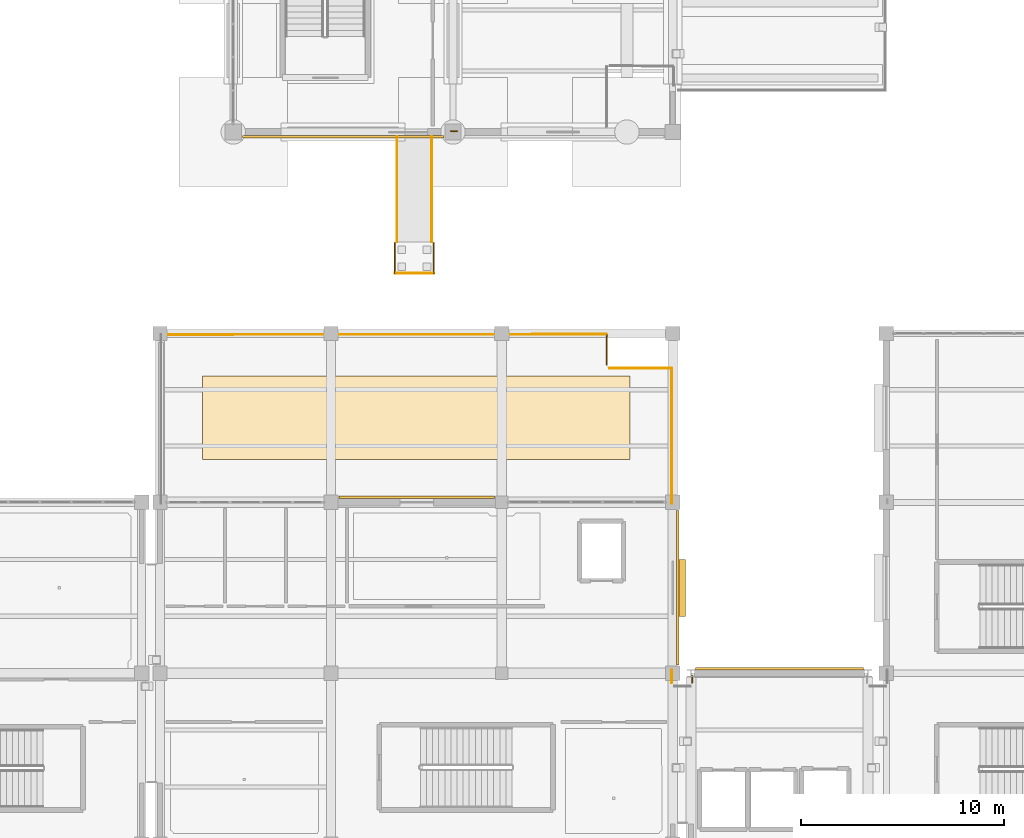
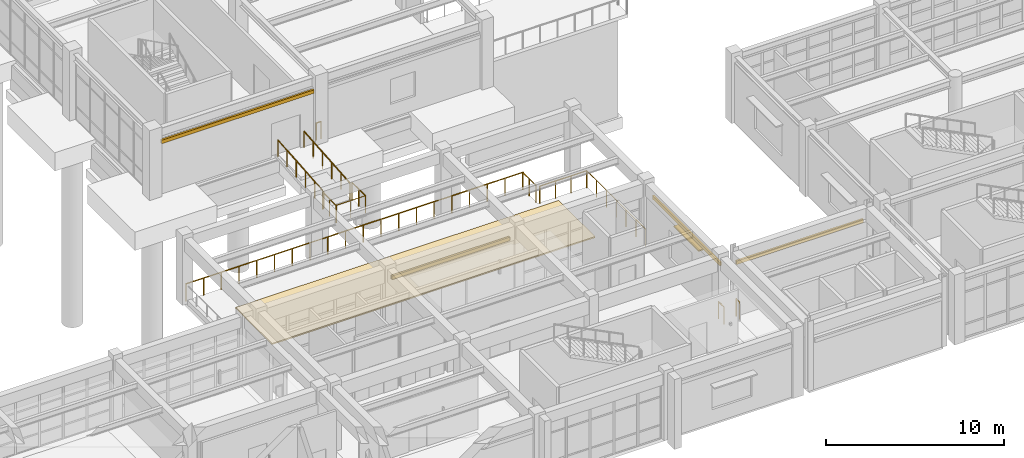
# One storey, part 91 of 98: 12 railings, 5 coverings, 1 shading device.
"""IFC4 building model written with IfcOpenShell, lengths in metres."""

from ifc_helpers import new_model, si_unit, direction, frame, origin, origin_2d, place, context, subcontext, project, spatial, rectangle, circle, extrude, material, layer, layer_set, type_object, element, save


model = new_model("IFC4")

# Units and contexts
model_context = context("Model", 3, precision=1e-05, world=origin(), true_north=direction((0.0, 1.0)))
body_context = subcontext(model_context, "Body", "Model", "MODEL_VIEW")
ifc_project = project(units=[si_unit("LENGTHUNIT", "METRE"), si_unit("AREAUNIT", "SQUARE_METRE"), si_unit("VOLUMEUNIT", "CUBIC_METRE"), si_unit("PLANEANGLEUNIT", "RADIAN"), si_unit("MASSUNIT", "GRAM", prefix="KILO")], contexts=[model_context])

# Site, building, storey
site_placement = place(None, origin())
site = spatial("IfcSite", under=ifc_project, at=site_placement, CompositionType="ELEMENT")
building_placement = place(site_placement, origin())
building = spatial("IfcBuilding", under=site, at=building_placement, Name="Canglan Escarpment Cableway Terminal", CompositionType="ELEMENT")
storey_placement = place(building_placement, frame((0.0, 0.0, 9.60009765625)))
storey = spatial("IfcBuildingStorey", under=building, at=storey_placement, Name="L02", CompositionType="ELEMENT", Elevation=9.60009765625)

# Coverings
ifc_material_1 = material(Name="Carved classical limestone cornice", Category="masonry")
ifc_layer_1 = layer(ifc_material_1, 0.1201171875, Name="Carved classical limestone cornice")
ifc_layer_set_1 = layer_set([ifc_layer_1], Name="Carved classical limestone cornice")
covering_type_1 = type_object("IfcCoveringType", Name="COV-CORNICE-STONE", PredefinedType="CLADDING", material=ifc_layer_set_1)
covering_1_placement = place(storey_placement, frame((136.93994140625, 20.60009765625, 3.39501953125), z_axis=(0.0, 0.0, 1.0), x_axis=(0.0, 1.0, 0.0)))
element("IfcCovering", 1, at=covering_1_placement, inside=storey, type_object=covering_type_1, Name="Classical carved limestone cornice CL-01", PredefinedType="CLADDING", context=body_context, shape_type="SweptSolid", body=[
    extrude(rectangle(XDim=7.60009765625, YDim=0.1201171875, at=origin_2d()), origin(), (0.0, 0.0, 1.0), 0.239990234375),
])
covering_2_placement = place(storey_placement, frame((124.125, 25.0400390625, 3.294921875), z_axis=(0.0, 0.0, 1.0), x_axis=(-1.0, 0.0, 0.0)))
element("IfcCovering", 2, at=covering_2_placement, inside=storey, type_object=covering_type_1, Name="Classical carved limestone cornice CL-01", PredefinedType="CLADDING", context=body_context, shape_type="SweptSolid", body=[
    extrude(rectangle(XDim=7.64990234375, YDim=0.1201171875, at=origin_2d()), origin(), (0.0, 0.0, 1.0), 0.239990234375),
])
covering_3_placement = place(storey_placement, frame((141.949951171875, 16.6201171875, 3.294921875), z_axis=(0.0, 0.0, 1.0), x_axis=(-1.0, 0.0, 0.0)))
element("IfcCovering", 3, at=covering_3_placement, inside=storey, type_object=covering_type_1, Name="Classical carved limestone cornice CL-01", PredefinedType="CLADDING", context=body_context, shape_type="SweptSolid", body=[
    extrude(rectangle(XDim=8.25, YDim=0.1201171875, at=origin_2d()), origin(), (0.0, 0.0, 1.0), 0.239990234375),
])
covering_4_placement = place(storey_placement, frame((120.5, 42.77001953125, 3.544921875), z_axis=(0.0, 0.0, 1.0), x_axis=(1.0, 0.0, 0.0)))
element("IfcCovering", 4, at=covering_4_placement, inside=storey, type_object=covering_type_1, Name="Classical carved limestone cornice CL-01", PredefinedType="CLADDING", context=body_context, shape_type="SweptSolid", body=[
    extrude(rectangle(XDim=9.89990234375, YDim=0.1201171875, at=origin_2d()), origin(), (0.0, 0.0, 1.0), 0.239990234375),
])
ifc_material_2 = material(Name="Planted extensive sedum green roof assembly", Category="earth")
ifc_layer_2 = layer(ifc_material_2, 0.090087890625, Name="Planted extensive sedum green roof assembly")
ifc_layer_set_2 = layer_set([ifc_layer_2], Name="Planted extensive sedum green roof assembly")
covering_type_2 = type_object("IfcCoveringType", Name="COV-ROOF-GREEN", PredefinedType="ROOFING", material=ifc_layer_set_2)
covering_5_placement = place(storey_placement, frame((124.10009765625, 28.949951171875, 0.0), z_axis=(0.0, 0.0, 1.0), x_axis=(1.0, 0.0, 0.0)))
element("IfcCovering", 5, at=covering_5_placement, inside=storey, type_object=covering_type_2, Name="Planted extensive sedum green roof garden RF-G1", PredefinedType="ROOFING", context=body_context, shape_type="SweptSolid", body=[
    extrude(rectangle(XDim=21.0, YDim=4.10009765625, at=origin_2d()), origin(), (0.0, 0.0, 1.0), 0.090087890625),
])

# Railings
ifc_material_3 = material(Name="Carved limestone and anodized bronze balustrade", Category="masonry")
railing_type_1 = type_object("IfcRailingType", Name="RL-EXT-BALUSTRADE-1200", PredefinedType="BALUSTRADE", material=ifc_material_3)
railing_1_placement = place(storey_placement, frame((123.050048828125, 36.050048828125, -0.4501953125)))
element("IfcRailing", 6, at=railing_1_placement, inside=storey, type_object=railing_type_1, Name="Accessible Cloister Court Ramp 5 landing guard 1", PredefinedType="BALUSTRADE", context=body_context, shape_type="SweptSolid", body=[
    extrude(circle(Radius=0.02392578125, at=origin_2d()), frame((0.0, 0.0, 1.17578125), z_axis=(1.0, 0.0, 0.0), x_axis=(0.0, 1.0, 0.0)), (0.0, 0.0, 1.0), 1.89990234375),
    extrude(circle(Radius=0.02099609375, at=origin_2d()), origin(), (0.0, 0.0, 1.0), 1.15185546875),
    extrude(circle(Radius=0.02099609375, at=origin_2d()), frame((0.949951171875, 0.0, 0.0)), (0.0, 0.0, 1.0), 1.15185546875),
    extrude(circle(Radius=0.02099609375, at=origin_2d()), frame((1.89990234375, 0.0, 0.0)), (0.0, 0.0, 1.0), 1.15185546875),
])
railing_2_placement = place(storey_placement, frame((124.949951171875, 36.050048828125, -0.4501953125)))
element("IfcRailing", 7, at=railing_2_placement, inside=storey, type_object=railing_type_1, Name="Accessible Cloister Court Ramp 5 landing guard 2", PredefinedType="BALUSTRADE", context=body_context, shape_type="SweptSolid", body=[
    extrude(circle(Radius=0.02392578125, at=origin_2d()), frame((0.0, 0.0, 1.17578125), z_axis=(0.0, 1.0, 0.0), x_axis=(-1.0, 0.0, 0.0)), (0.0, 0.0, 1.0), 1.5),
    extrude(circle(Radius=0.02099609375, at=origin_2d()), origin(), (0.0, 0.0, 1.0), 1.15185546875),
    extrude(circle(Radius=0.02099609375, at=origin_2d()), frame((0.0, 0.75, 0.0)), (0.0, 0.0, 1.0), 1.15185546875),
    extrude(circle(Radius=0.02099609375, at=origin_2d()), frame((0.0, 1.5, 0.0)), (0.0, 0.0, 1.0), 1.15185546875),
])
railing_3_placement = place(storey_placement, frame((123.050048828125, 37.550048828125, -0.4501953125)))
element("IfcRailing", 8, at=railing_3_placement, inside=storey, type_object=railing_type_1, Name="Accessible Cloister Court Ramp 5 landing guard 4", PredefinedType="BALUSTRADE", context=body_context, shape_type="SweptSolid", body=[
    extrude(circle(Radius=0.02392578125, at=origin_2d()), frame((0.0, 0.0, 1.17578125), z_axis=(0.0, -1.0, 0.0), x_axis=(1.0, 0.0, 0.0)), (0.0, 0.0, 1.0), 1.5),
    extrude(circle(Radius=0.02099609375, at=origin_2d()), origin(), (0.0, 0.0, 1.0), 1.15185546875),
    extrude(circle(Radius=0.02099609375, at=origin_2d()), frame((0.0, -0.75, 0.0)), (0.0, 0.0, 1.0), 1.15185546875),
    extrude(circle(Radius=0.02099609375, at=origin_2d()), frame((0.0, -1.5, 0.0)), (0.0, 0.0, 1.0), 1.15185546875),
])
railing_4_placement = place(storey_placement, frame((111.550048828125, 33.048095703125, 0.0)))
element("IfcRailing", 9, at=railing_4_placement, inside=storey, type_object=railing_type_1, Name="Classical terrace balustrade guard GD-01 (L02)", PredefinedType="BALUSTRADE", context=body_context, shape_type="SweptSolid", body=[
    extrude(circle(Radius=0.02392578125, at=origin_2d()), frame((0.0, 0.0, 1.17578125), z_axis=(0.999999996022, 8.9192142e-05, 0.0), x_axis=(-8.9192142e-05, 0.999999996022, 0.0)), (0.0, 0.0, 1.0), 21.89794921875),
    extrude(circle(Radius=0.02099609375, at=origin_2d()), origin(), (0.0, 0.0, 1.0), 1.15185546875),
    extrude(circle(Radius=0.02099609375, at=origin_2d()), frame((1.152587890625, 0.0, 0.0)), (0.0, 0.0, 1.0), 1.15185546875),
    extrude(circle(Radius=0.02099609375, at=origin_2d()), frame((2.304931640625, 0.000244140625, 0.0)), (0.0, 0.0, 1.0), 1.15185546875),
    extrude(circle(Radius=0.02099609375, at=origin_2d()), frame((3.45751953125, 0.000244140625, 0.0)), (0.0, 0.0, 1.0), 1.15185546875),
    extrude(circle(Radius=0.02099609375, at=origin_2d()), frame((4.610107421875, 0.00048828125, 0.0)), (0.0, 0.0, 1.0), 1.15185546875),
    extrude(circle(Radius=0.02099609375, at=origin_2d()), frame((5.7626953125, 0.00048828125, 0.0)), (0.0, 0.0, 1.0), 1.15185546875),
    extrude(circle(Radius=0.02099609375, at=origin_2d()), frame((6.9150390625, 0.000732421875, 0.0)), (0.0, 0.0, 1.0), 1.15185546875),
    extrude(circle(Radius=0.02099609375, at=origin_2d()), frame((8.067626953125, 0.000732421875, 0.0)), (0.0, 0.0, 1.0), 1.15185546875),
    extrude(circle(Radius=0.02099609375, at=origin_2d()), frame((9.22021484375, 0.000732421875, 0.0)), (0.0, 0.0, 1.0), 1.15185546875),
    extrude(circle(Radius=0.02099609375, at=origin_2d()), frame((10.372802734375, 0.0009765625, 0.0)), (0.0, 0.0, 1.0), 1.15185546875),
    extrude(circle(Radius=0.02099609375, at=origin_2d()), frame((11.525146484375, 0.0009765625, 0.0)), (0.0, 0.0, 1.0), 1.15185546875),
    extrude(circle(Radius=0.02099609375, at=origin_2d()), frame((12.677734375, 0.001220703125, 0.0)), (0.0, 0.0, 1.0), 1.15185546875),
    extrude(circle(Radius=0.02099609375, at=origin_2d()), frame((13.830322265625, 0.001220703125, 0.0)), (0.0, 0.0, 1.0), 1.15185546875),
    extrude(circle(Radius=0.02099609375, at=origin_2d()), frame((14.98291015625, 0.001220703125, 0.0)), (0.0, 0.0, 1.0), 1.15185546875),
    extrude(circle(Radius=0.02099609375, at=origin_2d()), frame((16.13525390625, 0.00146484375, 0.0)), (0.0, 0.0, 1.0), 1.15185546875),
    extrude(circle(Radius=0.02099609375, at=origin_2d()), frame((17.287841796875, 0.00146484375, 0.0)), (0.0, 0.0, 1.0), 1.15185546875),
    extrude(circle(Radius=0.02099609375, at=origin_2d()), frame((18.4404296875, 0.001708984375, 0.0)), (0.0, 0.0, 1.0), 1.15185546875),
    extrude(circle(Radius=0.02099609375, at=origin_2d()), frame((19.593017578125, 0.001708984375, 0.0)), (0.0, 0.0, 1.0), 1.15185546875),
    extrude(circle(Radius=0.02099609375, at=origin_2d()), frame((20.745361328125, 0.001953125, 0.0)), (0.0, 0.0, 1.0), 1.15185546875),
    extrude(circle(Radius=0.02099609375, at=origin_2d()), frame((21.89794921875, 0.001953125, 0.0)), (0.0, 0.0, 1.0), 1.15185546875),
])
railing_5_placement = place(storey_placement, frame((133.447998046875, 33.050048828125, 0.0)))
element("IfcRailing", 10, at=railing_5_placement, inside=storey, type_object=railing_type_1, Name="Classical terrace balustrade guard GD-01 (L02)", PredefinedType="BALUSTRADE", context=body_context, shape_type="SweptSolid", body=[
    extrude(circle(Radius=0.02392578125, at=origin_2d()), frame((0.0, 0.0, 1.17578125), z_axis=(0.001319695321, -0.999999129202, 0.0), x_axis=(0.999999129202, 0.001319695321, 0.0)), (0.0, 0.0, 1.0), 1.47998046875),
    extrude(circle(Radius=0.02099609375, at=origin_2d()), origin(), (0.0, 0.0, 1.0), 1.15185546875),
    extrude(circle(Radius=0.02099609375, at=origin_2d()), frame((0.0009765625, -0.739990234375, 0.0)), (0.0, 0.0, 1.0), 1.15185546875),
    extrude(circle(Radius=0.02099609375, at=origin_2d()), frame((0.001953125, -1.47998046875, 0.0)), (0.0, 0.0, 1.0), 1.15185546875),
])
railing_6_placement = place(storey_placement, frame((133.599365234375, 31.39599609375, 0.0)))
element("IfcRailing", 11, at=railing_6_placement, inside=storey, type_object=railing_type_1, Name="Classical terrace balustrade guard GD-01 (L02)", PredefinedType="BALUSTRADE", context=body_context, shape_type="SweptSolid", body=[
    extrude(circle(Radius=0.02392578125, at=origin_2d()), frame((0.0, 0.0, 1.17578125), z_axis=(0.99999799584, -0.002002078153, 0.0), x_axis=(0.002002078153, 0.99999799584, 0.0)), (0.0, 0.0, 1.0), 3.048583984375),
    extrude(circle(Radius=0.02099609375, at=origin_2d()), origin(), (0.0, 0.0, 1.0), 1.15185546875),
    extrude(circle(Radius=0.02099609375, at=origin_2d()), frame((1.01611328125, -0.001953125, 0.0)), (0.0, 0.0, 1.0), 1.15185546875),
    extrude(circle(Radius=0.02099609375, at=origin_2d()), frame((2.032470703125, -0.004150390625, 0.0)), (0.0, 0.0, 1.0), 1.15185546875),
    extrude(circle(Radius=0.02099609375, at=origin_2d()), frame((3.048583984375, -0.006103515625, 0.0)), (0.0, 0.0, 1.0), 1.15185546875),
])
railing_7_placement = place(storey_placement, frame((136.64794921875, 31.389892578125, 0.0)))
element("IfcRailing", 12, at=railing_7_placement, inside=storey, type_object=railing_type_1, Name="Classical terrace balustrade guard GD-01 (L02)", PredefinedType="BALUSTRADE", context=body_context, shape_type="SweptSolid", body=[
    extrude(circle(Radius=0.02392578125, at=origin_2d()), frame((0.0, 0.0, 1.17578125), z_axis=(0.000293707308, -0.999999956868, 0.0), x_axis=(0.999999956868, 0.000293707308, 0.0)), (0.0, 0.0, 1.0), 6.64990234375),
    extrude(circle(Radius=0.02099609375, at=origin_2d()), origin(), (0.0, 0.0, 1.0), 1.15185546875),
    extrude(circle(Radius=0.02099609375, at=origin_2d()), frame((0.000244140625, -1.1083984375, 0.0)), (0.0, 0.0, 1.0), 1.15185546875),
    extrude(circle(Radius=0.02099609375, at=origin_2d()), frame((0.000732421875, -2.216552734375, 0.0)), (0.0, 0.0, 1.0), 1.15185546875),
    extrude(circle(Radius=0.02099609375, at=origin_2d()), frame((0.0009765625, -3.324951171875, 0.0)), (0.0, 0.0, 1.0), 1.15185546875),
    extrude(circle(Radius=0.02099609375, at=origin_2d()), frame((0.001220703125, -4.433349609375, 0.0)), (0.0, 0.0, 1.0), 1.15185546875),
    extrude(circle(Radius=0.02099609375, at=origin_2d()), frame((0.001708984375, -5.54150390625, 0.0)), (0.0, 0.0, 1.0), 1.15185546875),
    extrude(circle(Radius=0.02099609375, at=origin_2d()), frame((0.001953125, -6.64990234375, 0.0)), (0.0, 0.0, 1.0), 1.15185546875),
])
railing_8_placement = place(storey_placement, frame((136.64990234375, 16.56005859375, 0.0)))
element("IfcRailing", 13, at=railing_8_placement, inside=storey, type_object=railing_type_1, Name="Classical terrace balustrade guard GD-01 (L02)", PredefinedType="BALUSTRADE", context=body_context, shape_type="SweptSolid", body=[
    extrude(circle(Radius=0.02392578125, at=origin_2d()), frame((0.0, 0.0, 1.17578125), z_axis=(0.0, -1.0, 0.0), x_axis=(1.0, 0.0, 0.0)), (0.0, 0.0, 1.0), 0.630126953125),
    extrude(circle(Radius=0.02099609375, at=origin_2d()), origin(), (0.0, 0.0, 1.0), 1.15185546875),
    extrude(circle(Radius=0.02099609375, at=origin_2d()), frame((0.0, -0.630126953125, 0.0)), (0.0, 0.0, 1.0), 1.15185546875),
])
railing_9_placement = place(storey_placement, frame((137.64990234375, 15.929931640625, 0.0)))
element("IfcRailing", 14, at=railing_9_placement, inside=storey, type_object=railing_type_1, Name="Classical terrace balustrade guard GD-01 (L02)", PredefinedType="BALUSTRADE", context=body_context, shape_type="SweptSolid", body=[
    extrude(circle(Radius=0.02392578125, at=origin_2d()), frame((0.0, 0.0, 1.17578125), z_axis=(0.0, 1.0, 0.0), x_axis=(-1.0, 0.0, 0.0)), (0.0, 0.0, 1.0), 0.356201171875),
    extrude(circle(Radius=0.02099609375, at=origin_2d()), origin(), (0.0, 0.0, 1.0), 1.15185546875),
    extrude(circle(Radius=0.02099609375, at=origin_2d()), frame((0.0, 0.356201171875, 0.0)), (0.0, 0.0, 1.0), 1.15185546875),
])
railing_10_placement = place(storey_placement, frame((126.110107421875, 43.050048828125, 0.0)))
element("IfcRailing", 15, at=railing_10_placement, inside=storey, type_object=railing_type_1, Name="Classical terrace balustrade guard GD-01 (L02)", PredefinedType="BALUSTRADE", context=body_context, shape_type="SweptSolid", body=[
    extrude(circle(Radius=0.02392578125, at=origin_2d()), frame((0.0, 0.0, 1.17578125), z_axis=(-1.0, 0.0, 0.0), x_axis=(0.0, -1.0, 0.0)), (0.0, 0.0, 1.0), 0.320068359375),
    extrude(circle(Radius=0.02099609375, at=origin_2d()), origin(), (0.0, 0.0, 1.0), 1.15185546875),
    extrude(circle(Radius=0.02099609375, at=origin_2d()), frame((-0.320068359375, 0.0, 0.0)), (0.0, 0.0, 1.0), 1.15185546875),
])
ifc_material_4 = material(Name="Brushed stainless steel 316 handrail", Category="steel")
railing_type_2 = type_object("IfcRailingType", Name="RL-EXT-HANDRAIL-1150", PredefinedType="HANDRAIL", material=ifc_material_4)
for number, where, name in (
    (16, (124.85009765625, 37.60009765625, -0.4501953125), "Accessible Cloister Court Ramp 5 guard-handrail 1"),
    (17, (123.14990234375, 37.60009765625, -0.4501953125), "Accessible Cloister Court Ramp 5 guard-handrail 2"),
):
    element("IfcRailing", number, at=place(storey_placement, frame(where)), inside=storey, type_object=railing_type_2, Name=name, PredefinedType="HANDRAIL", context=body_context, shape_type="SweptSolid", body=[
        extrude(circle(Radius=0.02392578125, at=origin_2d()), frame((0.0, 0.0, 1.1259765625), z_axis=(0.0, 0.996580977307, 0.082621762694), x_axis=(-1.0, 0.0, 0.0)), (0.0, 0.0, 1.0), 5.19775390625),
        extrude(circle(Radius=0.02099609375, at=origin_2d()), origin(), (0.0, 0.0, 1.0), 1.101806640625),
        extrude(circle(Radius=0.02099609375, at=origin_2d()), frame((0.0, 1.035888671875, 0.0859375)), (0.0, 0.0, 1.0), 1.101806640625),
        extrude(circle(Radius=0.02099609375, at=origin_2d()), frame((0.0, 2.072021484375, 0.171875)), (0.0, 0.0, 1.0), 1.101806640625),
        extrude(circle(Radius=0.02099609375, at=origin_2d()), frame((0.0, 3.10791015625, 0.257568359375)), (0.0, 0.0, 1.0), 1.101806640625),
        extrude(circle(Radius=0.02099609375, at=origin_2d()), frame((0.0, 4.14404296875, 0.343505859375)), (0.0, 0.0, 1.0), 1.101806640625),
        extrude(circle(Radius=0.02099609375, at=origin_2d()), frame((0.0, 5.179931640625, 0.429443359375)), (0.0, 0.0, 1.0), 1.101806640625),
    ])

# Shading device
ifc_material_5 = material(Name="Anodized architectural bronze aluminium", Category="aluminium")
ifc_layer_3 = layer(ifc_material_5, 0.080078125, Name="Anodized architectural bronze aluminium")
ifc_layer_set_3 = layer_set([ifc_layer_3], Name="Anodized architectural bronze aluminium")
shading_device_type = type_object("IfcShadingDeviceType", Name="SHD-BRONZE-LOUVRE-01", PredefinedType="JALOUSIE", material=ifc_layer_set_3)
shading_device_placement = place(storey_placement, frame((137.10498046875, 20.60009765625, 2.919921875), z_axis=(0.0, 0.0, 1.0), x_axis=(0.0, 1.0, 0.0)))
element("IfcShadingDevice", 18, at=shading_device_placement, inside=storey, type_object=shading_device_type, Name="Anodized bronze sun-shading brise-soleil SD-01", PredefinedType="JALOUSIE", context=body_context, shape_type="SweptSolid", body=[
    extrude(rectangle(XDim=2.800048828125, YDim=0.449951171875, at=origin_2d()), origin(), (0.0, 0.0, 1.0), 0.080078125),
])

save(model, "model.ifc")
